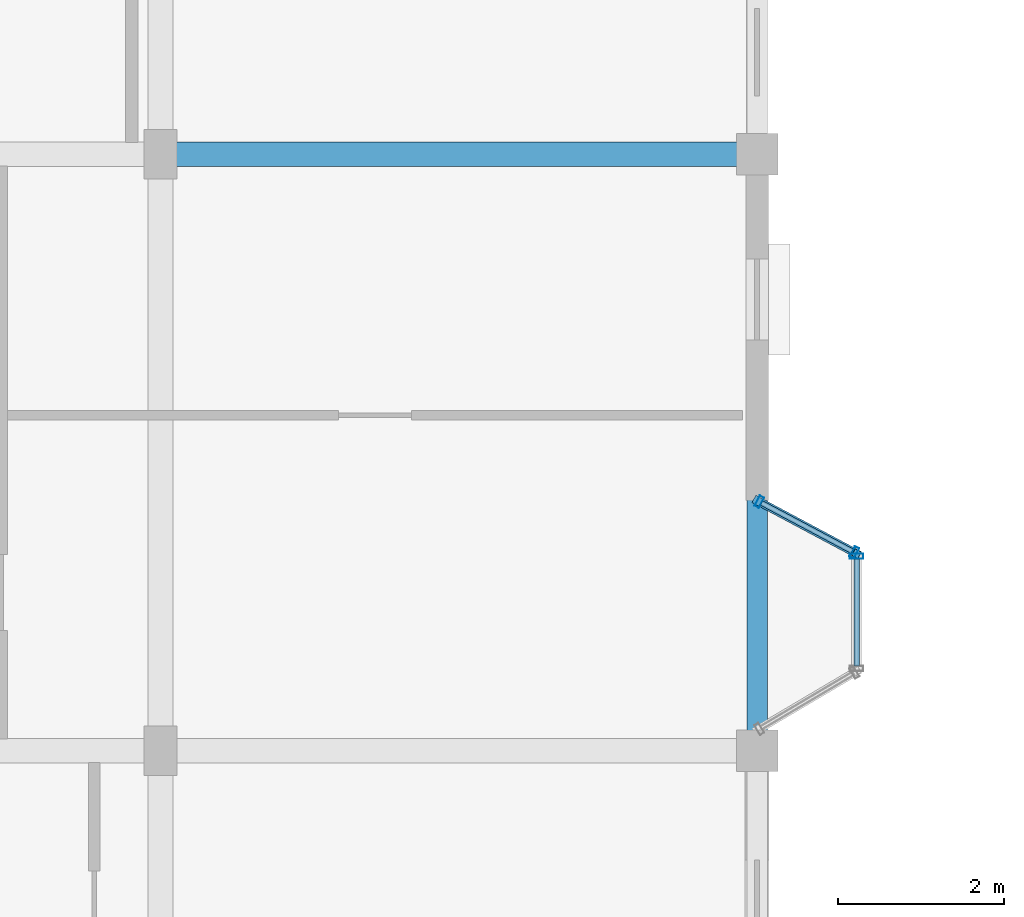
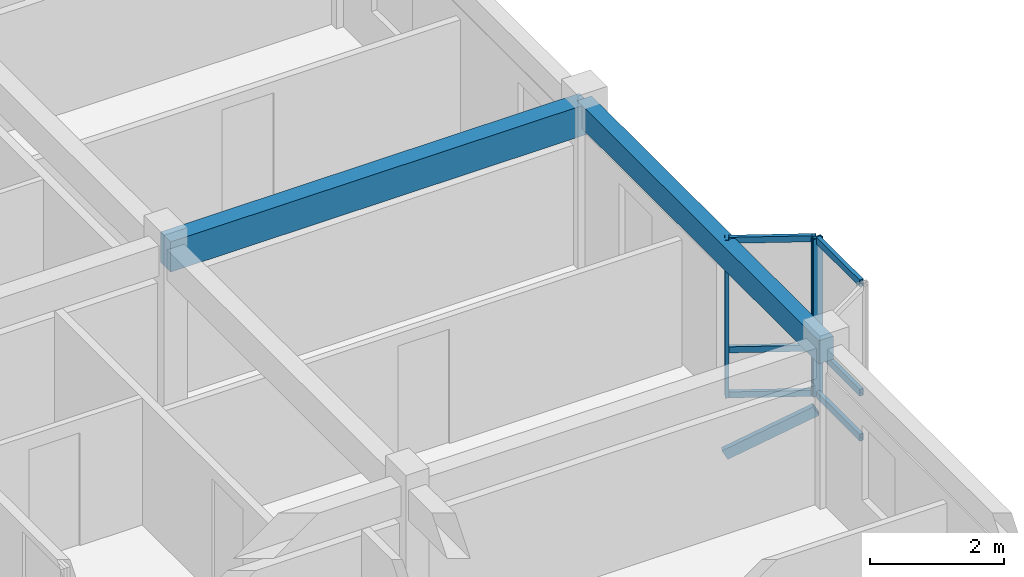
# One storey, part 12 of 65: 10 members, 2 beams, 2 elements without a shape of their own.
"""IFC4 building model written with IfcOpenShell, lengths in metres."""

from ifc_helpers import new_model, si_unit, direction, frame, origin, origin_2d, place, context, subcontext, project, spatial, rectangle, hollow_rectangle, extrude, material, layer, layer_set, material_profile, profile_set, type_object, element, aggregate, save


model = new_model("IFC4")

# Units and contexts
model_context = context("Model", 3, precision=1e-05, world=origin(), true_north=direction((0.0, 1.0)))
body_context = subcontext(model_context, "Body", "Model", "MODEL_VIEW")
ifc_project = project(units=[si_unit("LENGTHUNIT", "METRE"), si_unit("AREAUNIT", "SQUARE_METRE"), si_unit("VOLUMEUNIT", "CUBIC_METRE"), si_unit("PLANEANGLEUNIT", "RADIAN"), si_unit("MASSUNIT", "GRAM", prefix="KILO"), si_unit("THERMODYNAMICTEMPERATUREUNIT", "KELVIN"), si_unit("POWERUNIT", "WATT")], contexts=[model_context])

# Site, building, storey
site_placement = place(None, origin())
site = spatial("IfcSite", under=ifc_project, at=site_placement, CompositionType="ELEMENT")
building_placement = place(site_placement, origin())
building = spatial("IfcBuilding", under=site, at=building_placement, Name="Tavuni Mirador Residences", CompositionType="ELEMENT")
storey_placement = place(building_placement, frame((0.0, 0.0, 29.699951171875)))
storey = spatial("IfcBuildingStorey", under=building, at=storey_placement, Name="L09", CompositionType="ELEMENT", Elevation=29.699951171875)

# Beams
ifc_material_1 = material(Name="Precast concrete C40/50", Category="concrete")
ifc_material_profile_1 = material_profile(ifc_material_1, rectangle(XDim=0.300048828125, YDim=0.550048828125, at=origin_2d()), Name="PC 300x550", Category="concrete")
ifc_profile_set_1 = profile_set([ifc_material_profile_1], Name="Precast concrete C40/50")
beam_type_1 = type_object("IfcBeamType", Name="BT-B550", PredefinedType="BEAM", material=ifc_profile_set_1)
beam_1_placement = place(storey_placement, frame((25.199951171875, 28.800048828125, 2.594970703125), z_axis=(1.0, 0.0, 0.0), x_axis=(0.0, 1.0, 0.0)))
element("IfcBeam", 1, at=beam_1_placement, inside=storey, type_object=beam_type_1, Name="BMX-BLK-A-L09-03-03", PredefinedType="BEAM", context=body_context, shape_type="SweptSolid", body=[
    extrude(rectangle(XDim=0.300048828125, YDim=0.550048828125, at=origin_2d()), origin(), (0.0, 0.0, 1.0), 7.199951171875),
])
ifc_material_profile_2 = material_profile(ifc_material_1, rectangle(XDim=0.25, YDim=0.419921875, at=origin_2d()), Name="PC 250x420", Category="concrete")
ifc_profile_set_2 = profile_set([ifc_material_profile_2], Name="Precast concrete C40/50")
beam_type_2 = type_object("IfcBeamType", Name="BT-SP420", PredefinedType="SPANDREL", material=ifc_profile_set_2)
beam_2_placement = place(storey_placement, frame((32.39990234375, 21.60009765625, 2.66015625), z_axis=(0.0, 1.0, 0.0), x_axis=(-1.0, 0.0, 0.0)))
element("IfcBeam", 2, at=beam_2_placement, inside=storey, type_object=beam_type_2, Name="BMY-BLK-A-L09-04-02", PredefinedType="SPANDREL", context=body_context, shape_type="SweptSolid", body=[
    extrude(rectangle(XDim=0.25, YDim=0.419921875, at=origin_2d()), origin(), (0.0, 0.0, 1.0), 7.199951171875),
])

# Curtain wall, members
ifc_material_2 = material(Name="Anodised aluminium", Category="aluminium")
ifc_layer_1 = layer(ifc_material_2, 0.175048828125, Name="Anodised aluminium", Category="aluminium")
ifc_layer_set_1 = layer_set([ifc_layer_1], Name="Anodised aluminium")
curtain_wall_type_1 = type_object("IfcCurtainWallType", Name="CWT-MIR-C", PredefinedType="NOTDEFINED", material=ifc_layer_set_1)
curtain_wall_1_placement = place(storey_placement, origin())
curtain_wall_1 = element("IfcCurtainWall", 3, at=curtain_wall_1_placement, inside=storey, type_object=curtain_wall_type_1, Name="CW-MIR-A-E2-L09-M2", PredefinedType="NOTDEFINED")
ifc_material_profile_3 = material_profile(ifc_material_2, hollow_rectangle(XDim=0.06005859375, YDim=0.139892578125, WallThickness=0.00390625, at=origin_2d()), Name="ALU 60x140x4.0", Category="aluminium")
ifc_profile_set_3 = profile_set([ifc_material_profile_3], Name="Anodised aluminium")
member_type_1 = type_object("IfcMemberType", Name="CWM-140", PredefinedType="MULLION", material=ifc_profile_set_3)
member_1_placement = place(storey_placement, frame((33.573486328125, 23.994140625, 0.0), z_axis=(0.0, 0.0, 1.0), x_axis=(-0.882352941175, 0.470588235296, 0.0)))
member_1 = element("IfcMember", 4, at=member_1_placement, type_object=member_type_1, Name="CW-03 mullion 1", PredefinedType="MULLION", context=body_context, shape_type="SweptSolid", body=[
    extrude(hollow_rectangle(XDim=0.06005859375, YDim=0.139892578125, WallThickness=0.00390625, at=origin_2d()), origin(), (0.0, 0.0, 1.0), 2.8701171875),
])
member_2_placement = place(storey_placement, frame((32.426513671875, 24.60595703125, 0.0), z_axis=(0.0, 0.0, 1.0), x_axis=(-0.882352941175, 0.470588235296, 0.0)))
member_2 = element("IfcMember", 5, at=member_2_placement, type_object=member_type_1, Name="CW-03 mullion 2", PredefinedType="MULLION", context=body_context, shape_type="SweptSolid", body=[
    extrude(hollow_rectangle(XDim=0.06005859375, YDim=0.139892578125, WallThickness=0.00390625, at=origin_2d()), origin(), (0.0, 0.0, 1.0), 2.8701171875),
])

# Curtain wall, member
ifc_layer_2 = layer(ifc_material_2, 0.14990234375, Name="Anodised aluminium", Category="aluminium")
ifc_layer_set_2 = layer_set([ifc_layer_2], Name="Anodised aluminium")
curtain_wall_type_2 = type_object("IfcCurtainWallType", Name="CWT-MIR-B", PredefinedType="NOTDEFINED", material=ifc_layer_set_2)
curtain_wall_2_placement = place(storey_placement, origin())
curtain_wall_2 = element("IfcCurtainWall", 6, at=curtain_wall_2_placement, inside=storey, type_object=curtain_wall_type_2, Name="CW-MIR-A-E2-L09-MF", PredefinedType="NOTDEFINED")
ifc_material_profile_4 = material_profile(ifc_material_2, hollow_rectangle(XDim=0.06494140625, YDim=0.1650390625, WallThickness=0.00439453125, at=origin_2d()), Name="ALU 65x165x4.5", Category="aluminium")
ifc_profile_set_4 = profile_set([ifc_material_profile_4], Name="Anodised aluminium")
member_type_2 = type_object("IfcMemberType", Name="CWM-165", PredefinedType="MULLION", material=ifc_profile_set_4)
member_3_placement = place(storey_placement, frame((33.60009765625, 23.947509765625, 0.0), z_axis=(0.0, 0.0, 1.0), x_axis=(0.0, 1.0, 0.0)))
member_3 = element("IfcMember", 7, at=member_3_placement, type_object=member_type_2, Name="CW-02 mullion 2", PredefinedType="MULLION", context=body_context, shape_type="SweptSolid", body=[
    extrude(hollow_rectangle(XDim=0.06494140625, YDim=0.1650390625, WallThickness=0.00439453125, at=origin_2d()), origin(), (0.0, 0.0, 1.0), 2.8701171875),
])

# Member
ifc_material_profile_5 = material_profile(ifc_material_2, hollow_rectangle(XDim=0.06005859375, YDim=0.110107421875, WallThickness=0.00390625, at=origin_2d()), Name="ALU 60x110x4.0", Category="aluminium")
ifc_profile_set_5 = profile_set([ifc_material_profile_5], Name="Anodised aluminium")
member_type_3 = type_object("IfcMemberType", Name="CWT-110", PredefinedType="USERDEFINED", material=ifc_profile_set_5)
member_4_placement = place(storey_placement, frame((33.547119140625, 24.00830078125, 0.030029296875), z_axis=(-0.882385637708, 0.470526924168, 0.0), x_axis=(-0.470526924168, -0.882385637708, 0.0)))
member_4 = element("IfcMember", 8, at=member_4_placement, type_object=member_type_3, Name="CW-03 transom 1.1", ObjectType="TRANSOM", PredefinedType="USERDEFINED", context=body_context, shape_type="SweptSolid", body=[
    extrude(hollow_rectangle(XDim=0.06005859375, YDim=0.110107421875, WallThickness=0.00390625, at=origin_2d()), origin(), (0.0, 0.0, 1.0), 1.239990234375),
])

member_5_placement = place(storey_placement, frame((33.547119140625, 24.00830078125, 0.85009765625), z_axis=(-0.882385637708, 0.470526924168, 0.0), x_axis=(-0.470526924168, -0.882385637708, 0.0)))
member_5 = element("IfcMember", 9, at=member_5_placement, type_object=member_type_3, Name="CW-03 transom 1.2", ObjectType="TRANSOM", PredefinedType="USERDEFINED", context=body_context, shape_type="SweptSolid", body=[
    extrude(hollow_rectangle(XDim=0.06005859375, YDim=0.110107421875, WallThickness=0.00390625, at=origin_2d()), origin(), (0.0, 0.0, 1.0), 1.239990234375),
])

member_6_placement = place(storey_placement, frame((33.547119140625, 24.00830078125, 2.840087890625), z_axis=(-0.882385637708, 0.470526924168, 0.0), x_axis=(-0.470526924168, -0.882385637708, 0.0)))
member_6 = element("IfcMember", 10, at=member_6_placement, type_object=member_type_3, Name="CW-03 transom 1.3", ObjectType="TRANSOM", PredefinedType="USERDEFINED", context=body_context, shape_type="SweptSolid", body=[
    extrude(hollow_rectangle(XDim=0.06005859375, YDim=0.110107421875, WallThickness=0.00390625, at=origin_2d()), origin(), (0.0, 0.0, 1.0), 1.239990234375),
])

aggregate(curtain_wall_1, [member_1, member_2, member_4, member_5, member_6])

ifc_material_profile_6 = material_profile(ifc_material_2, hollow_rectangle(XDim=0.06494140625, YDim=0.125, WallThickness=0.00439453125, at=origin_2d()), Name="ALU 65x125x4.5", Category="aluminium")
ifc_profile_set_6 = profile_set([ifc_material_profile_6], Name="Anodised aluminium")
member_type_4 = type_object("IfcMemberType", Name="CWT-125", PredefinedType="USERDEFINED", material=ifc_profile_set_6)
member_7_placement = place(storey_placement, frame((33.60009765625, 22.625, 0.032470703125), z_axis=(0.0, 1.0, 0.0), x_axis=(-1.0, 0.0, 0.0)))
member_7 = element("IfcMember", 11, at=member_7_placement, type_object=member_type_4, Name="CW-02 transom 1.1", ObjectType="TRANSOM", PredefinedType="USERDEFINED", context=body_context, shape_type="SweptSolid", body=[
    extrude(hollow_rectangle(XDim=0.06494140625, YDim=0.125, WallThickness=0.00439453125, at=origin_2d()), origin(), (0.0, 0.0, 1.0), 1.2900390625),
])

member_8_placement = place(storey_placement, frame((33.60009765625, 22.625, 0.85009765625), z_axis=(0.0, 1.0, 0.0), x_axis=(-1.0, 0.0, 0.0)))
member_8 = element("IfcMember", 12, at=member_8_placement, type_object=member_type_4, Name="CW-02 transom 1.2", ObjectType="TRANSOM", PredefinedType="USERDEFINED", context=body_context, shape_type="SweptSolid", body=[
    extrude(hollow_rectangle(XDim=0.06494140625, YDim=0.125, WallThickness=0.00439453125, at=origin_2d()), origin(), (0.0, 0.0, 1.0), 1.2900390625),
])

member_9_placement = place(storey_placement, frame((33.60009765625, 22.625, 2.837646484375), z_axis=(0.0, 1.0, 0.0), x_axis=(-1.0, 0.0, 0.0)))
member_9 = element("IfcMember", 13, at=member_9_placement, type_object=member_type_4, Name="CW-02 transom 1.3", ObjectType="TRANSOM", PredefinedType="USERDEFINED", context=body_context, shape_type="SweptSolid", body=[
    extrude(hollow_rectangle(XDim=0.06494140625, YDim=0.125, WallThickness=0.00439453125, at=origin_2d()), origin(), (0.0, 0.0, 1.0), 1.2900390625),
])

aggregate(curtain_wall_2, [member_3, member_7, member_8, member_9])

ifc_material_3 = material(Name="Structural steel S355", Category="steel")
ifc_material_profile_7 = material_profile(ifc_material_3, hollow_rectangle(XDim=0.10009765625, YDim=0.179931640625, WallThickness=0.008056640625, at=origin_2d()), Name="RHS 180x100x8.0", Category="steel")
ifc_profile_set_7 = profile_set([ifc_material_profile_7], Name="Structural steel S355")
member_type_5 = type_object("IfcMemberType", Name="MT-BR-RHS180", PredefinedType="BRACE", material=ifc_profile_set_7)
member_10_placement = place(storey_placement, frame((32.39990234375, 24.6201171875, -1.050048828125), z_axis=(0.767847080655, -0.409539268811, 0.492634192918), x_axis=(0.470606866739, 0.882343004153, 0.0)))
element("IfcMember", 14, at=member_10_placement, inside=storey, type_object=member_type_5, Name="MBRK-MIR-A-E2-L09-2", PredefinedType="BRACE", context=body_context, shape_type="SweptSolid", body=[
    extrude(hollow_rectangle(XDim=0.10009765625, YDim=0.179931640625, WallThickness=0.008056640625, at=origin_2d()), origin(), (0.0, 0.0, 1.0), 1.56298828125),
])

save(model, "model.ifc")
